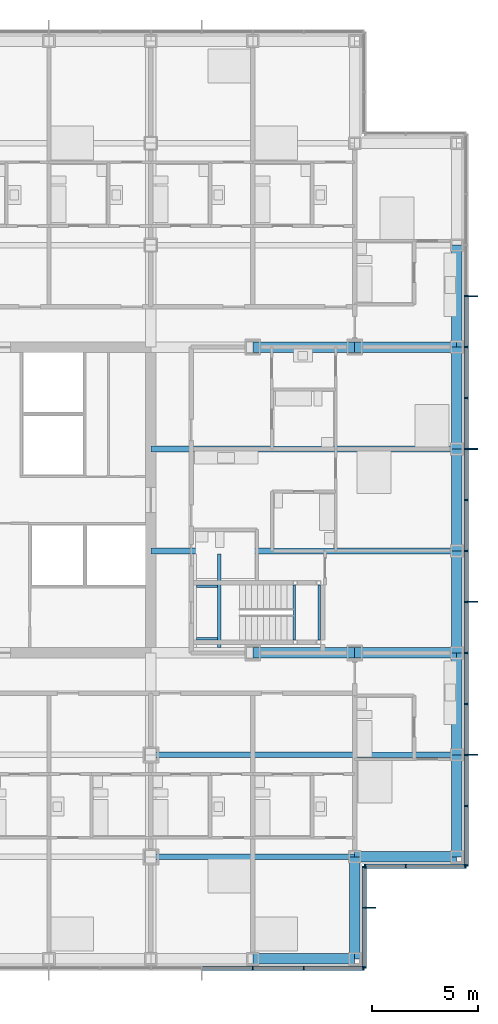
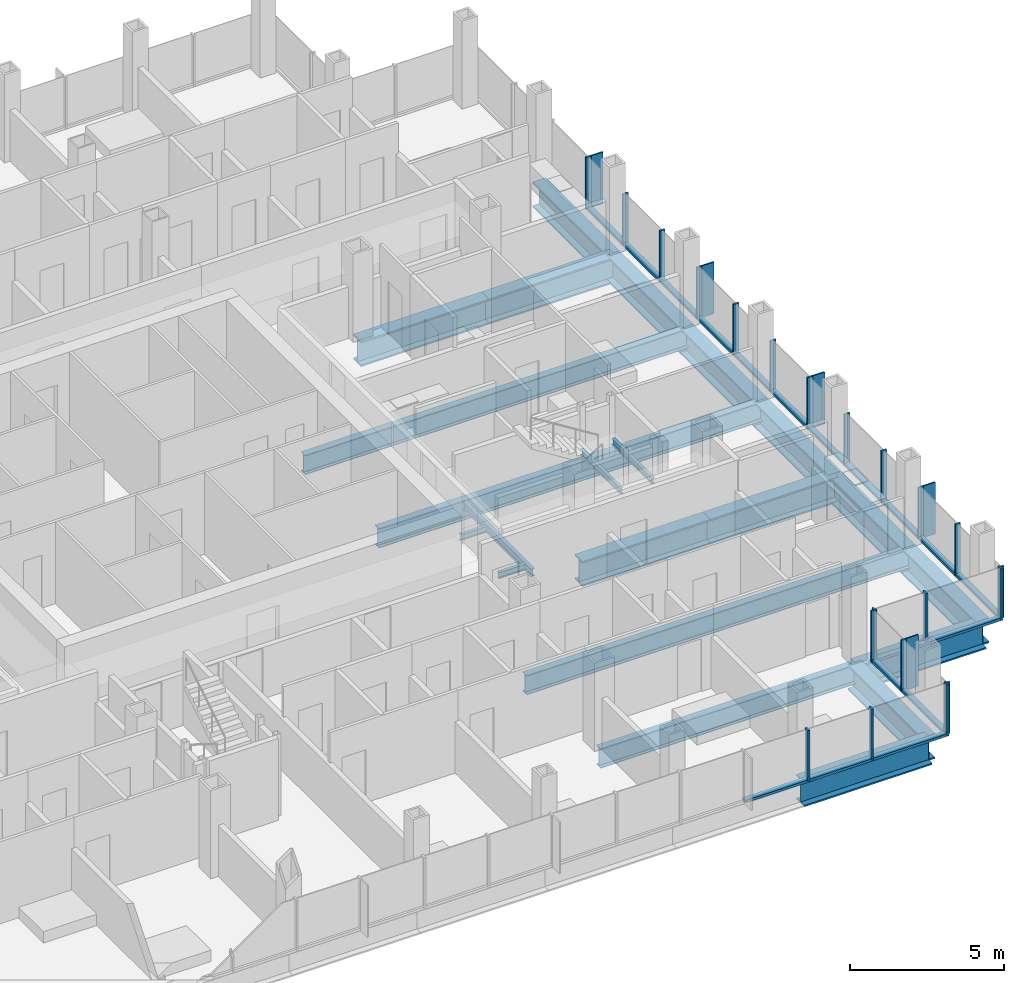
# One storey, part 9 of 22: 44 members, 22 beams, 4 elements without a shape of their own.
"""IFC4 building model written with IfcOpenShell, lengths in metres."""

from ifc_helpers import new_model, si_unit, direction, frame, origin, origin_2d, place, context, subcontext, project, spatial, rectangle, i_section, extrude, material, material_profile, profile_set, type_object, element, aggregate, save


model = new_model("IFC4")

# Units and contexts
model_context = context("Model", 3, precision=1e-05, world=origin(), true_north=direction((0.0, 1.0)))
body_context = subcontext(model_context, "Body", "Model", "MODEL_VIEW")
ifc_project = project(units=[si_unit("LENGTHUNIT", "METRE"), si_unit("AREAUNIT", "SQUARE_METRE"), si_unit("VOLUMEUNIT", "CUBIC_METRE"), si_unit("PLANEANGLEUNIT", "RADIAN"), si_unit("MASSUNIT", "GRAM", prefix="KILO")], contexts=[model_context])

# Site, building, storey
site_placement = place(None, origin())
site = spatial("IfcSite", under=ifc_project, at=site_placement, CompositionType="ELEMENT")
building_placement = place(site_placement, origin())
building = spatial("IfcBuilding", under=site, at=building_placement, Name="Kvirike Care Tower", CompositionType="ELEMENT")
storey_placement = place(building_placement, frame((0.0, 0.0, 76.0)))
storey = spatial("IfcBuildingStorey", under=building, at=storey_placement, Name="L20", CompositionType="ELEMENT", Elevation=76.0)

# Curtain wall, member
ifc_material_1 = material(Name="Anodised aluminium stick system", Category="aluminium")
curtain_wall_type = type_object("IfcCurtainWallType", Name="CW-A STICK CURTAIN WALL", PredefinedType="NOTDEFINED", material=ifc_material_1)
curtain_wall_1_placement = place(storey_placement, origin())
curtain_wall_1 = element("IfcCurtainWall", 1, at=curtain_wall_1_placement, inside=storey, type_object=curtain_wall_type, Name="Curtain wall L20 face 5", PredefinedType="NOTDEFINED")
ifc_material_2 = material(Name="Bronze anodised aluminium fin", Category="aluminium")
ifc_material_profile_1 = material_profile(ifc_material_2, rectangle(XDim=0.050048828125, YDim=0.449951171875, at=origin_2d()), Name="BRONZE FIN 450")
ifc_profile_set_1 = profile_set([ifc_material_profile_1], Name="Bronze anodised aluminium fin")
member_type_1 = type_object("IfcMemberType", Name="BRONZE FIN 450", PredefinedType="USERDEFINED", material=ifc_profile_set_1)
member_1_placement = place(storey_placement, frame((39.175048828125, 16.800048828125, 0.0), z_axis=(0.0, 0.0, 1.0), x_axis=(0.0, 1.0, 0.0)))
member_1 = element("IfcMember", 2, at=member_1_placement, type_object=member_type_1, Name="Bronze fin L20 face 5.2", ObjectType="FIN", PredefinedType="USERDEFINED", context=body_context, shape_type="SweptSolid", body=[
    extrude(rectangle(XDim=0.050048828125, YDim=0.449951171875, at=origin_2d()), origin(), (0.0, 0.0, 1.0), 2.050048828125),
])

# Curtain wall, members
curtain_wall_2_placement = place(storey_placement, origin())
curtain_wall_2 = element("IfcCurtainWall", 3, at=curtain_wall_2_placement, inside=storey, type_object=curtain_wall_type, Name="Curtain wall L20 face 7", PredefinedType="NOTDEFINED")
member_2_placement = place(storey_placement, frame((43.97509765625, 24.0, 0.0), z_axis=(0.0, 0.0, 1.0), x_axis=(0.0, 1.0, 0.0)))
member_2 = element("IfcMember", 4, at=member_2_placement, type_object=member_type_1, Name="Bronze fin L20 face 7.3", ObjectType="FIN", PredefinedType="USERDEFINED", context=body_context, shape_type="SweptSolid", body=[
    extrude(rectangle(XDim=0.050048828125, YDim=0.449951171875, at=origin_2d()), origin(), (0.0, 0.0, 1.0), 2.050048828125),
])
member_3_placement = place(storey_placement, frame((43.97509765625, 31.199951171875, 0.0), z_axis=(0.0, 0.0, 1.0), x_axis=(0.0, 1.0, 0.0)))
member_3 = element("IfcMember", 5, at=member_3_placement, type_object=member_type_1, Name="Bronze fin L20 face 7.6", ObjectType="FIN", PredefinedType="USERDEFINED", context=body_context, shape_type="SweptSolid", body=[
    extrude(rectangle(XDim=0.050048828125, YDim=0.449951171875, at=origin_2d()), origin(), (0.0, 0.0, 1.0), 2.050048828125),
])
member_4_placement = place(storey_placement, frame((43.97509765625, 38.39990234375, 0.0), z_axis=(0.0, 0.0, 1.0), x_axis=(0.0, 1.0, 0.0)))
member_4 = element("IfcMember", 6, at=member_4_placement, type_object=member_type_1, Name="Bronze fin L20 face 7.9", ObjectType="FIN", PredefinedType="USERDEFINED", context=body_context, shape_type="SweptSolid", body=[
    extrude(rectangle(XDim=0.050048828125, YDim=0.449951171875, at=origin_2d()), origin(), (0.0, 0.0, 1.0), 2.050048828125),
])
member_5_placement = place(storey_placement, frame((43.97509765625, 45.60009765625, 0.0), z_axis=(0.0, 0.0, 1.0), x_axis=(0.0, 1.0, 0.0)))
member_5 = element("IfcMember", 7, at=member_5_placement, type_object=member_type_1, Name="Bronze fin L20 face 7.12", ObjectType="FIN", PredefinedType="USERDEFINED", context=body_context, shape_type="SweptSolid", body=[
    extrude(rectangle(XDim=0.050048828125, YDim=0.449951171875, at=origin_2d()), origin(), (0.0, 0.0, 1.0), 2.050048828125),
])

curtain_wall_3_placement = place(storey_placement, origin())
curtain_wall_3 = element("IfcCurtainWall", 8, at=curtain_wall_3_placement, inside=storey, type_object=curtain_wall_type, Name="Curtain wall L20 face 4", PredefinedType="NOTDEFINED")
ifc_material_3 = material(Name="Bronze anodised aluminium mullion", Category="aluminium")
ifc_material_profile_2 = material_profile(ifc_material_3, rectangle(XDim=0.06494140625, YDim=0.199951171875, at=origin_2d()), Name="CW-A MULLION 65x200")
ifc_profile_set_2 = profile_set([ifc_material_profile_2], Name="Bronze anodised aluminium mullion")
member_type_2 = type_object("IfcMemberType", Name="CW-A MULLION 65x200", PredefinedType="MULLION", material=ifc_profile_set_2)
member_6_placement = place(storey_placement, frame((33.60009765625, 13.949951171875, 0.0), z_axis=(0.0, 0.0, 1.0), x_axis=(1.0, 0.0, 0.0)))
member_6 = element("IfcMember", 9, at=member_6_placement, type_object=member_type_2, Name="CW-A mullion L20 face 4.13", PredefinedType="MULLION", context=body_context, shape_type="SweptSolid", body=[
    extrude(rectangle(XDim=0.06494140625, YDim=0.199951171875, at=origin_2d()), origin(), (0.0, 0.0, 1.0), 2.050048828125),
])
member_7_placement = place(storey_placement, frame((36.0, 13.949951171875, 0.0), z_axis=(0.0, 0.0, 1.0), x_axis=(1.0, 0.0, 0.0)))
member_7 = element("IfcMember", 10, at=member_7_placement, type_object=member_type_2, Name="CW-A mullion L20 face 4.14", PredefinedType="MULLION", context=body_context, shape_type="SweptSolid", body=[
    extrude(rectangle(XDim=0.06494140625, YDim=0.199951171875, at=origin_2d()), origin(), (0.0, 0.0, 1.0), 2.050048828125),
])
member_8_placement = place(storey_placement, frame((38.8173828125, 13.949951171875, 0.0), z_axis=(0.0, 0.0, 1.0), x_axis=(1.0, 0.0, 0.0)))
member_8 = element("IfcMember", 11, at=member_8_placement, type_object=member_type_2, Name="CW-A mullion L20 face 4.15", PredefinedType="MULLION", context=body_context, shape_type="SweptSolid", body=[
    extrude(rectangle(XDim=0.06494140625, YDim=0.199951171875, at=origin_2d()), origin(), (0.0, 0.0, 1.0), 2.050048828125),
])

# Member
member_9_placement = place(storey_placement, frame((38.85009765625, 13.982421875, 0.0), z_axis=(0.0, 0.0, 1.0), x_axis=(0.0, 1.0, 0.0)))
member_9 = element("IfcMember", 12, at=member_9_placement, type_object=member_type_2, Name="CW-A mullion L20 face 5.1", PredefinedType="MULLION", context=body_context, shape_type="SweptSolid", body=[
    extrude(rectangle(XDim=0.06494140625, YDim=0.199951171875, at=origin_2d()), origin(), (0.0, 0.0, 1.0), 2.050048828125),
])

member_10_placement = place(storey_placement, frame((38.85009765625, 16.800048828125, 0.0), z_axis=(0.0, 0.0, 1.0), x_axis=(0.0, 1.0, 0.0)))
member_10 = element("IfcMember", 13, at=member_10_placement, type_object=member_type_2, Name="CW-A mullion L20 face 5.2", PredefinedType="MULLION", context=body_context, shape_type="SweptSolid", body=[
    extrude(rectangle(XDim=0.06494140625, YDim=0.199951171875, at=origin_2d()), origin(), (0.0, 0.0, 1.0), 2.050048828125),
])

member_11_placement = place(storey_placement, frame((38.85009765625, 18.717529296875, 0.0), z_axis=(0.0, 0.0, 1.0), x_axis=(0.0, 1.0, 0.0)))
member_11 = element("IfcMember", 14, at=member_11_placement, type_object=member_type_2, Name="CW-A mullion L20 face 5.3", PredefinedType="MULLION", context=body_context, shape_type="SweptSolid", body=[
    extrude(rectangle(XDim=0.06494140625, YDim=0.199951171875, at=origin_2d()), origin(), (0.0, 0.0, 1.0), 2.050048828125),
])

# Curtain wall, members
curtain_wall_4_placement = place(storey_placement, origin())
curtain_wall_4 = element("IfcCurtainWall", 15, at=curtain_wall_4_placement, inside=storey, type_object=curtain_wall_type, Name="Curtain wall L20 face 6", PredefinedType="NOTDEFINED")
member_12_placement = place(storey_placement, frame((38.882568359375, 18.75, 0.0), z_axis=(0.0, 0.0, 1.0), x_axis=(1.0, 0.0, 0.0)))
member_12 = element("IfcMember", 16, at=member_12_placement, type_object=member_type_2, Name="CW-A mullion L20 face 6.1", PredefinedType="MULLION", context=body_context, shape_type="SweptSolid", body=[
    extrude(rectangle(XDim=0.06494140625, YDim=0.199951171875, at=origin_2d()), origin(), (0.0, 0.0, 1.0), 2.050048828125),
])
member_13_placement = place(storey_placement, frame((40.800048828125, 18.75, 0.0), z_axis=(0.0, 0.0, 1.0), x_axis=(1.0, 0.0, 0.0)))
member_13 = element("IfcMember", 17, at=member_13_placement, type_object=member_type_2, Name="CW-A mullion L20 face 6.2", PredefinedType="MULLION", context=body_context, shape_type="SweptSolid", body=[
    extrude(rectangle(XDim=0.06494140625, YDim=0.199951171875, at=origin_2d()), origin(), (0.0, 0.0, 1.0), 2.050048828125),
])
member_14_placement = place(storey_placement, frame((43.617431640625, 18.75, 0.0), z_axis=(0.0, 0.0, 1.0), x_axis=(1.0, 0.0, 0.0)))
member_14 = element("IfcMember", 18, at=member_14_placement, type_object=member_type_2, Name="CW-A mullion L20 face 6.3", PredefinedType="MULLION", context=body_context, shape_type="SweptSolid", body=[
    extrude(rectangle(XDim=0.06494140625, YDim=0.199951171875, at=origin_2d()), origin(), (0.0, 0.0, 1.0), 2.050048828125),
])

# Member
member_15_placement = place(storey_placement, frame((43.64990234375, 18.782470703125, 0.0), z_axis=(0.0, 0.0, 1.0), x_axis=(0.0, 1.0, 0.0)))
member_15 = element("IfcMember", 19, at=member_15_placement, type_object=member_type_2, Name="CW-A mullion L20 face 7.1", PredefinedType="MULLION", context=body_context, shape_type="SweptSolid", body=[
    extrude(rectangle(XDim=0.06494140625, YDim=0.199951171875, at=origin_2d()), origin(), (0.0, 0.0, 1.0), 2.050048828125),
])

member_16_placement = place(storey_placement, frame((43.64990234375, 21.60009765625, 0.0), z_axis=(0.0, 0.0, 1.0), x_axis=(0.0, 1.0, 0.0)))
member_16 = element("IfcMember", 20, at=member_16_placement, type_object=member_type_2, Name="CW-A mullion L20 face 7.2", PredefinedType="MULLION", context=body_context, shape_type="SweptSolid", body=[
    extrude(rectangle(XDim=0.06494140625, YDim=0.199951171875, at=origin_2d()), origin(), (0.0, 0.0, 1.0), 2.050048828125),
])

member_17_placement = place(storey_placement, frame((43.64990234375, 24.0, 0.0), z_axis=(0.0, 0.0, 1.0), x_axis=(0.0, 1.0, 0.0)))
member_17 = element("IfcMember", 21, at=member_17_placement, type_object=member_type_2, Name="CW-A mullion L20 face 7.3", PredefinedType="MULLION", context=body_context, shape_type="SweptSolid", body=[
    extrude(rectangle(XDim=0.06494140625, YDim=0.199951171875, at=origin_2d()), origin(), (0.0, 0.0, 1.0), 2.050048828125),
])

member_18_placement = place(storey_placement, frame((43.64990234375, 26.39990234375, 0.0), z_axis=(0.0, 0.0, 1.0), x_axis=(0.0, 1.0, 0.0)))
member_18 = element("IfcMember", 22, at=member_18_placement, type_object=member_type_2, Name="CW-A mullion L20 face 7.4", PredefinedType="MULLION", context=body_context, shape_type="SweptSolid", body=[
    extrude(rectangle(XDim=0.06494140625, YDim=0.199951171875, at=origin_2d()), origin(), (0.0, 0.0, 1.0), 2.050048828125),
])

member_19_placement = place(storey_placement, frame((43.64990234375, 28.800048828125, 0.0), z_axis=(0.0, 0.0, 1.0), x_axis=(0.0, 1.0, 0.0)))
member_19 = element("IfcMember", 23, at=member_19_placement, type_object=member_type_2, Name="CW-A mullion L20 face 7.5", PredefinedType="MULLION", context=body_context, shape_type="SweptSolid", body=[
    extrude(rectangle(XDim=0.06494140625, YDim=0.199951171875, at=origin_2d()), origin(), (0.0, 0.0, 1.0), 2.050048828125),
])

member_20_placement = place(storey_placement, frame((43.64990234375, 31.199951171875, 0.0), z_axis=(0.0, 0.0, 1.0), x_axis=(0.0, 1.0, 0.0)))
member_20 = element("IfcMember", 24, at=member_20_placement, type_object=member_type_2, Name="CW-A mullion L20 face 7.6", PredefinedType="MULLION", context=body_context, shape_type="SweptSolid", body=[
    extrude(rectangle(XDim=0.06494140625, YDim=0.199951171875, at=origin_2d()), origin(), (0.0, 0.0, 1.0), 2.050048828125),
])

member_21_placement = place(storey_placement, frame((43.64990234375, 33.60009765625, 0.0), z_axis=(0.0, 0.0, 1.0), x_axis=(0.0, 1.0, 0.0)))
member_21 = element("IfcMember", 25, at=member_21_placement, type_object=member_type_2, Name="CW-A mullion L20 face 7.7", PredefinedType="MULLION", context=body_context, shape_type="SweptSolid", body=[
    extrude(rectangle(XDim=0.06494140625, YDim=0.199951171875, at=origin_2d()), origin(), (0.0, 0.0, 1.0), 2.050048828125),
])

member_22_placement = place(storey_placement, frame((43.64990234375, 36.0, 0.0), z_axis=(0.0, 0.0, 1.0), x_axis=(0.0, 1.0, 0.0)))
member_22 = element("IfcMember", 26, at=member_22_placement, type_object=member_type_2, Name="CW-A mullion L20 face 7.8", PredefinedType="MULLION", context=body_context, shape_type="SweptSolid", body=[
    extrude(rectangle(XDim=0.06494140625, YDim=0.199951171875, at=origin_2d()), origin(), (0.0, 0.0, 1.0), 2.050048828125),
])

member_23_placement = place(storey_placement, frame((43.64990234375, 38.39990234375, 0.0), z_axis=(0.0, 0.0, 1.0), x_axis=(0.0, 1.0, 0.0)))
member_23 = element("IfcMember", 27, at=member_23_placement, type_object=member_type_2, Name="CW-A mullion L20 face 7.9", PredefinedType="MULLION", context=body_context, shape_type="SweptSolid", body=[
    extrude(rectangle(XDim=0.06494140625, YDim=0.199951171875, at=origin_2d()), origin(), (0.0, 0.0, 1.0), 2.050048828125),
])

member_24_placement = place(storey_placement, frame((43.64990234375, 40.800048828125, 0.0), z_axis=(0.0, 0.0, 1.0), x_axis=(0.0, 1.0, 0.0)))
member_24 = element("IfcMember", 28, at=member_24_placement, type_object=member_type_2, Name="CW-A mullion L20 face 7.10", PredefinedType="MULLION", context=body_context, shape_type="SweptSolid", body=[
    extrude(rectangle(XDim=0.06494140625, YDim=0.199951171875, at=origin_2d()), origin(), (0.0, 0.0, 1.0), 2.050048828125),
])

member_25_placement = place(storey_placement, frame((43.64990234375, 43.199951171875, 0.0), z_axis=(0.0, 0.0, 1.0), x_axis=(0.0, 1.0, 0.0)))
member_25 = element("IfcMember", 29, at=member_25_placement, type_object=member_type_2, Name="CW-A mullion L20 face 7.11", PredefinedType="MULLION", context=body_context, shape_type="SweptSolid", body=[
    extrude(rectangle(XDim=0.06494140625, YDim=0.199951171875, at=origin_2d()), origin(), (0.0, 0.0, 1.0), 2.050048828125),
])

member_26_placement = place(storey_placement, frame((43.64990234375, 45.60009765625, 0.0), z_axis=(0.0, 0.0, 1.0), x_axis=(0.0, 1.0, 0.0)))
member_26 = element("IfcMember", 30, at=member_26_placement, type_object=member_type_2, Name="CW-A mullion L20 face 7.12", PredefinedType="MULLION", context=body_context, shape_type="SweptSolid", body=[
    extrude(rectangle(XDim=0.06494140625, YDim=0.199951171875, at=origin_2d()), origin(), (0.0, 0.0, 1.0), 2.050048828125),
])

ifc_material_4 = material(Name="Bronze anodised aluminium transom", Category="aluminium")
ifc_material_profile_3 = material_profile(ifc_material_4, rectangle(XDim=0.199951171875, YDim=0.10009765625, at=origin_2d()), Name="CW-A TRANSOM 200x100")
ifc_profile_set_3 = profile_set([ifc_material_profile_3], Name="Bronze anodised aluminium transom")
member_type_3 = type_object("IfcMemberType", Name="CW-A TRANSOM 200x100", PredefinedType="USERDEFINED", material=ifc_profile_set_3)
member_27_placement = place(storey_placement, frame((31.232421875, 13.949951171875, 0.050048828125), z_axis=(1.0, 0.0, 0.0), x_axis=(0.0, 1.0, 0.0)))
member_27 = element("IfcMember", 31, at=member_27_placement, type_object=member_type_3, Name="CW-A sill transom L20 face 4.12", ObjectType="TRANSOM", PredefinedType="USERDEFINED", context=body_context, shape_type="SweptSolid", body=[
    extrude(rectangle(XDim=0.199951171875, YDim=0.10009765625, at=origin_2d()), origin(), (0.0, 0.0, 1.0), 2.3349609375),
])

member_28_placement = place(storey_placement, frame((33.632568359375, 13.949951171875, 0.050048828125), z_axis=(1.0, 0.0, 0.0), x_axis=(0.0, 1.0, 0.0)))
member_28 = element("IfcMember", 32, at=member_28_placement, type_object=member_type_3, Name="CW-A sill transom L20 face 4.13", ObjectType="TRANSOM", PredefinedType="USERDEFINED", context=body_context, shape_type="SweptSolid", body=[
    extrude(rectangle(XDim=0.199951171875, YDim=0.10009765625, at=origin_2d()), origin(), (0.0, 0.0, 1.0), 2.3349609375),
])

member_29_placement = place(storey_placement, frame((36.032470703125, 13.949951171875, 0.050048828125), z_axis=(1.0, 0.0, 0.0), x_axis=(0.0, 1.0, 0.0)))
member_29 = element("IfcMember", 33, at=member_29_placement, type_object=member_type_3, Name="CW-A sill transom L20 face 4.14", ObjectType="TRANSOM", PredefinedType="USERDEFINED", context=body_context, shape_type="SweptSolid", body=[
    extrude(rectangle(XDim=0.199951171875, YDim=0.10009765625, at=origin_2d()), origin(), (0.0, 0.0, 1.0), 2.75244140625),
])

aggregate(curtain_wall_3, [member_6, member_7, member_8, member_27, member_28, member_29])

member_30_placement = place(storey_placement, frame((38.85009765625, 14.014892578125, 0.050048828125), z_axis=(0.0, 1.0, 0.0), x_axis=(-1.0, 0.0, 0.0)))
member_30 = element("IfcMember", 34, at=member_30_placement, type_object=member_type_3, Name="CW-A sill transom L20 face 5.1", ObjectType="TRANSOM", PredefinedType="USERDEFINED", context=body_context, shape_type="SweptSolid", body=[
    extrude(rectangle(XDim=0.199951171875, YDim=0.10009765625, at=origin_2d()), origin(), (0.0, 0.0, 1.0), 2.752685546875),
])

member_31_placement = place(storey_placement, frame((38.85009765625, 16.83251953125, 0.050048828125), z_axis=(0.0, 1.0, 0.0), x_axis=(-1.0, 0.0, 0.0)))
member_31 = element("IfcMember", 35, at=member_31_placement, type_object=member_type_3, Name="CW-A sill transom L20 face 5.2", ObjectType="TRANSOM", PredefinedType="USERDEFINED", context=body_context, shape_type="SweptSolid", body=[
    extrude(rectangle(XDim=0.199951171875, YDim=0.10009765625, at=origin_2d()), origin(), (0.0, 0.0, 1.0), 1.8525390625),
])

aggregate(curtain_wall_1, [member_9, member_10, member_1, member_11, member_30, member_31])

member_32_placement = place(storey_placement, frame((38.9150390625, 18.75, 0.050048828125), z_axis=(1.0, 0.0, 0.0), x_axis=(0.0, 1.0, 0.0)))
member_32 = element("IfcMember", 36, at=member_32_placement, type_object=member_type_3, Name="CW-A sill transom L20 face 6.1", ObjectType="TRANSOM", PredefinedType="USERDEFINED", context=body_context, shape_type="SweptSolid", body=[
    extrude(rectangle(XDim=0.199951171875, YDim=0.10009765625, at=origin_2d()), origin(), (0.0, 0.0, 1.0), 1.8525390625),
])

member_33_placement = place(storey_placement, frame((40.83251953125, 18.75, 0.050048828125), z_axis=(1.0, 0.0, 0.0), x_axis=(0.0, 1.0, 0.0)))
member_33 = element("IfcMember", 37, at=member_33_placement, type_object=member_type_3, Name="CW-A sill transom L20 face 6.2", ObjectType="TRANSOM", PredefinedType="USERDEFINED", context=body_context, shape_type="SweptSolid", body=[
    extrude(rectangle(XDim=0.199951171875, YDim=0.10009765625, at=origin_2d()), origin(), (0.0, 0.0, 1.0), 2.75244140625),
])

aggregate(curtain_wall_4, [member_12, member_13, member_14, member_32, member_33])

member_34_placement = place(storey_placement, frame((43.64990234375, 18.81494140625, 0.050048828125), z_axis=(0.0, 1.0, 0.0), x_axis=(-1.0, 0.0, 0.0)))
member_34 = element("IfcMember", 38, at=member_34_placement, type_object=member_type_3, Name="CW-A sill transom L20 face 7.1", ObjectType="TRANSOM", PredefinedType="USERDEFINED", context=body_context, shape_type="SweptSolid", body=[
    extrude(rectangle(XDim=0.199951171875, YDim=0.10009765625, at=origin_2d()), origin(), (0.0, 0.0, 1.0), 2.75244140625),
])

member_35_placement = place(storey_placement, frame((43.64990234375, 21.632568359375, 0.050048828125), z_axis=(0.0, 1.0, 0.0), x_axis=(-1.0, 0.0, 0.0)))
member_35 = element("IfcMember", 39, at=member_35_placement, type_object=member_type_3, Name="CW-A sill transom L20 face 7.2", ObjectType="TRANSOM", PredefinedType="USERDEFINED", context=body_context, shape_type="SweptSolid", body=[
    extrude(rectangle(XDim=0.199951171875, YDim=0.10009765625, at=origin_2d()), origin(), (0.0, 0.0, 1.0), 2.3349609375),
])

member_36_placement = place(storey_placement, frame((43.64990234375, 24.032470703125, 0.050048828125), z_axis=(0.0, 1.0, 0.0), x_axis=(-1.0, 0.0, 0.0)))
member_36 = element("IfcMember", 40, at=member_36_placement, type_object=member_type_3, Name="CW-A sill transom L20 face 7.3", ObjectType="TRANSOM", PredefinedType="USERDEFINED", context=body_context, shape_type="SweptSolid", body=[
    extrude(rectangle(XDim=0.199951171875, YDim=0.10009765625, at=origin_2d()), origin(), (0.0, 0.0, 1.0), 2.3349609375),
])

member_37_placement = place(storey_placement, frame((43.64990234375, 26.4326171875, 0.050048828125), z_axis=(0.0, 1.0, 0.0), x_axis=(-1.0, 0.0, 0.0)))
member_37 = element("IfcMember", 41, at=member_37_placement, type_object=member_type_3, Name="CW-A sill transom L20 face 7.4", ObjectType="TRANSOM", PredefinedType="USERDEFINED", context=body_context, shape_type="SweptSolid", body=[
    extrude(rectangle(XDim=0.199951171875, YDim=0.10009765625, at=origin_2d()), origin(), (0.0, 0.0, 1.0), 2.3349609375),
])

member_38_placement = place(storey_placement, frame((43.64990234375, 28.83251953125, 0.050048828125), z_axis=(0.0, 1.0, 0.0), x_axis=(-1.0, 0.0, 0.0)))
member_38 = element("IfcMember", 42, at=member_38_placement, type_object=member_type_3, Name="CW-A sill transom L20 face 7.5", ObjectType="TRANSOM", PredefinedType="USERDEFINED", context=body_context, shape_type="SweptSolid", body=[
    extrude(rectangle(XDim=0.199951171875, YDim=0.10009765625, at=origin_2d()), origin(), (0.0, 0.0, 1.0), 2.3349609375),
])

member_39_placement = place(storey_placement, frame((43.64990234375, 31.232421875, 0.050048828125), z_axis=(0.0, 1.0, 0.0), x_axis=(-1.0, 0.0, 0.0)))
member_39 = element("IfcMember", 43, at=member_39_placement, type_object=member_type_3, Name="CW-A sill transom L20 face 7.6", ObjectType="TRANSOM", PredefinedType="USERDEFINED", context=body_context, shape_type="SweptSolid", body=[
    extrude(rectangle(XDim=0.199951171875, YDim=0.10009765625, at=origin_2d()), origin(), (0.0, 0.0, 1.0), 2.3349609375),
])

member_40_placement = place(storey_placement, frame((43.64990234375, 33.632568359375, 0.050048828125), z_axis=(0.0, 1.0, 0.0), x_axis=(-1.0, 0.0, 0.0)))
member_40 = element("IfcMember", 44, at=member_40_placement, type_object=member_type_3, Name="CW-A sill transom L20 face 7.7", ObjectType="TRANSOM", PredefinedType="USERDEFINED", context=body_context, shape_type="SweptSolid", body=[
    extrude(rectangle(XDim=0.199951171875, YDim=0.10009765625, at=origin_2d()), origin(), (0.0, 0.0, 1.0), 2.3349609375),
])

member_41_placement = place(storey_placement, frame((43.64990234375, 36.032470703125, 0.050048828125), z_axis=(0.0, 1.0, 0.0), x_axis=(-1.0, 0.0, 0.0)))
member_41 = element("IfcMember", 45, at=member_41_placement, type_object=member_type_3, Name="CW-A sill transom L20 face 7.8", ObjectType="TRANSOM", PredefinedType="USERDEFINED", context=body_context, shape_type="SweptSolid", body=[
    extrude(rectangle(XDim=0.199951171875, YDim=0.10009765625, at=origin_2d()), origin(), (0.0, 0.0, 1.0), 2.3349609375),
])

member_42_placement = place(storey_placement, frame((43.64990234375, 38.4326171875, 0.050048828125), z_axis=(0.0, 1.0, 0.0), x_axis=(-1.0, 0.0, 0.0)))
member_42 = element("IfcMember", 46, at=member_42_placement, type_object=member_type_3, Name="CW-A sill transom L20 face 7.9", ObjectType="TRANSOM", PredefinedType="USERDEFINED", context=body_context, shape_type="SweptSolid", body=[
    extrude(rectangle(XDim=0.199951171875, YDim=0.10009765625, at=origin_2d()), origin(), (0.0, 0.0, 1.0), 2.3349609375),
])

member_43_placement = place(storey_placement, frame((43.64990234375, 40.83251953125, 0.050048828125), z_axis=(0.0, 1.0, 0.0), x_axis=(-1.0, 0.0, 0.0)))
member_43 = element("IfcMember", 47, at=member_43_placement, type_object=member_type_3, Name="CW-A sill transom L20 face 7.10", ObjectType="TRANSOM", PredefinedType="USERDEFINED", context=body_context, shape_type="SweptSolid", body=[
    extrude(rectangle(XDim=0.199951171875, YDim=0.10009765625, at=origin_2d()), origin(), (0.0, 0.0, 1.0), 2.3349609375),
])

member_44_placement = place(storey_placement, frame((43.64990234375, 43.232421875, 0.050048828125), z_axis=(0.0, 1.0, 0.0), x_axis=(-1.0, 0.0, 0.0)))
member_44 = element("IfcMember", 48, at=member_44_placement, type_object=member_type_3, Name="CW-A sill transom L20 face 7.11", ObjectType="TRANSOM", PredefinedType="USERDEFINED", context=body_context, shape_type="SweptSolid", body=[
    extrude(rectangle(XDim=0.199951171875, YDim=0.10009765625, at=origin_2d()), origin(), (0.0, 0.0, 1.0), 2.3349609375),
])

aggregate(curtain_wall_2, [member_15, member_16, member_17, member_2, member_18, member_19, member_20, member_3, member_21, member_22, member_23, member_4, member_24, member_25, member_26, member_5, member_34, member_35, member_36, member_37, member_38, member_39, member_40, member_41, member_42, member_43, member_44])

# Beams
ifc_material_5 = material(Name="Steel S355", Category="steel")
ifc_material_profile_4 = material_profile(ifc_material_5, i_section(OverallWidth=0.26806640625, OverallDepth=0.77001953125, WebThickness=0.015625, FlangeThickness=0.025390625, FilletRadius=0.01708984375, at=origin_2d()), Name="IPE 750x196")
ifc_profile_set_4 = profile_set([ifc_material_profile_4], Name="Steel S355")
beam_type_1 = type_object("IfcBeamType", Name="FLOOR BEAM IPE 750x196", PredefinedType="BEAM", material=ifc_profile_set_4)
beam_1_placement = place(storey_placement, frame((28.800048828125, 19.199951171875, -0.554931640625), z_axis=(1.0, 0.0, 0.0), x_axis=(0.0, 1.0, 0.0)))
element("IfcBeam", 49, at=beam_1_placement, inside=storey, type_object=beam_type_1, Name="Floor Beam E9-E11 L20", PredefinedType="BEAM", context=body_context, shape_type="SweptSolid", body=[
    extrude(i_section(OverallWidth=0.26806640625, OverallDepth=0.77001953125, WebThickness=0.015625, FlangeThickness=0.025390625, FilletRadius=0.01708984375, at=origin_2d()), origin(), (0.0, 0.0, 1.0), 9.599853515625),
])
for number, where, z_axis, x_axis, name in (
    (50, (28.800048828125, 24.0, -0.554931640625), (1.0, 0.0, 0.0), (0.0, 1.0, 0.0), "Floor Beam F9-F12 L20"),
    (51, (28.800048828125, 33.60009765625, -0.554931640625), (1.0, 0.0, 0.0), (0.0, 1.0, 0.0), "Floor Beam H9-H12 L20"),
    (52, (28.800048828125, 38.39990234375, -0.554931640625), (1.0, 0.0, 0.0), (0.0, 1.0, 0.0), "Floor Beam J9-J12 L20"),
):
    element("IfcBeam", number, at=place(storey_placement, frame(where, z_axis=z_axis, x_axis=x_axis)), inside=storey, type_object=beam_type_1, Name=name, PredefinedType="BEAM", context=body_context, shape_type="SweptSolid", body=[
        extrude(i_section(OverallWidth=0.26806640625, OverallDepth=0.77001953125, WebThickness=0.015625, FlangeThickness=0.025390625, FilletRadius=0.01708984375, at=origin_2d()), origin(), (0.0, 0.0, 1.0), 14.39990234375),
    ])
ifc_material_6 = material(Name="Steel S355", Category="steel")
ifc_material_profile_5 = material_profile(ifc_material_6, i_section(OverallWidth=0.5, OverallDepth=1.0, WebThickness=0.030029296875, FlangeThickness=0.06005859375, at=origin_2d()), Name="PG 1000x500x30x60")
ifc_profile_set_5 = profile_set([ifc_material_profile_5], Name="Steel S355")
beam_type_2 = type_object("IfcBeamType", Name="FRAME BEAM PG 1000x500x30x60", PredefinedType="BEAM", material=ifc_profile_set_5)
beam_2_placement = place(storey_placement, frame((33.60009765625, 28.800048828125, -0.669921875), z_axis=(1.0, 0.0, 0.0), x_axis=(0.0, 1.0, 0.0)))
element("IfcBeam", 53, at=beam_2_placement, inside=storey, type_object=beam_type_2, Name="Frame Beam G10-G11 L20", PredefinedType="BEAM", context=body_context, shape_type="SweptSolid", body=[
    extrude(i_section(OverallWidth=0.5, OverallDepth=1.0, WebThickness=0.030029296875, FlangeThickness=0.06005859375, at=origin_2d()), origin(), (0.0, 0.0, 1.0), 4.7998046875),
])
beam_3_placement = place(storey_placement, frame((38.39990234375, 28.800048828125, -0.669921875), z_axis=(1.0, 0.0, 0.0), x_axis=(0.0, 1.0, 0.0)))
element("IfcBeam", 54, at=beam_3_placement, inside=storey, type_object=beam_type_2, Name="Frame Beam G11-G12 L20", PredefinedType="BEAM", context=body_context, shape_type="SweptSolid", body=[
    extrude(i_section(OverallWidth=0.5, OverallDepth=1.0, WebThickness=0.030029296875, FlangeThickness=0.06005859375, at=origin_2d()), origin(), (0.0, 0.0, 1.0), 4.800048828125),
])
beam_4_placement = place(storey_placement, frame((33.60009765625, 43.199951171875, -0.669921875), z_axis=(1.0, 0.0, 0.0), x_axis=(0.0, 1.0, 0.0)))
element("IfcBeam", 55, at=beam_4_placement, inside=storey, type_object=beam_type_2, Name="Frame Beam K10-K11 L20", PredefinedType="BEAM", context=body_context, shape_type="SweptSolid", body=[
    extrude(i_section(OverallWidth=0.5, OverallDepth=1.0, WebThickness=0.030029296875, FlangeThickness=0.06005859375, at=origin_2d()), origin(), (0.0, 0.0, 1.0), 4.7998046875),
])
beam_5_placement = place(storey_placement, frame((38.39990234375, 43.199951171875, -0.669921875), z_axis=(1.0, 0.0, 0.0), x_axis=(0.0, 1.0, 0.0)))
element("IfcBeam", 56, at=beam_5_placement, inside=storey, type_object=beam_type_2, Name="Frame Beam K11-K12 L20", PredefinedType="BEAM", context=body_context, shape_type="SweptSolid", body=[
    extrude(i_section(OverallWidth=0.5, OverallDepth=1.0, WebThickness=0.030029296875, FlangeThickness=0.06005859375, at=origin_2d()), origin(), (0.0, 0.0, 1.0), 4.800048828125),
])
ifc_material_7 = material(Name="Steel S355", Category="steel")
ifc_material_profile_6 = material_profile(ifc_material_7, i_section(OverallWidth=0.5, OverallDepth=1.0, WebThickness=0.030029296875, FlangeThickness=0.06005859375, at=origin_2d()), Name="PG 1000x500x30x60")
ifc_profile_set_6 = profile_set([ifc_material_profile_6], Name="Steel S355")
beam_type_3 = type_object("IfcBeamType", Name="SPANDREL PG 1000x500x30x60", PredefinedType="SPANDREL", material=ifc_profile_set_6)
beam_6_placement = place(storey_placement, frame((33.60009765625, 14.39990234375, -0.669921875), z_axis=(1.0, 0.0, 0.0), x_axis=(0.0, 1.0, 0.0)))
element("IfcBeam", 57, at=beam_6_placement, inside=storey, type_object=beam_type_3, Name="Spandrel D10-D11 L20", PredefinedType="SPANDREL", context=body_context, shape_type="SweptSolid", body=[
    extrude(i_section(OverallWidth=0.5, OverallDepth=1.0, WebThickness=0.030029296875, FlangeThickness=0.06005859375, at=origin_2d()), origin(), (0.0, 0.0, 1.0), 4.7998046875),
])
for number, where, z_axis, x_axis, name in (
    (58, (38.39990234375, 19.199951171875, -0.669921875), (1.0, 0.0, 0.0), (0.0, 1.0, 0.0), "Spandrel E11-E12 L20"),
    (59, (38.39990234375, 14.39990234375, -0.669921875), (0.0, 1.0, 0.0), (-1.0, 0.0, 0.0), "Spandrel D11-E11 L20"),
    (60, (43.199951171875, 19.199951171875, -0.669921875), (0.0, 1.0, 0.0), (-1.0, 0.0, 0.0), "Spandrel E12-F12 L20"),
    (61, (43.199951171875, 24.0, -0.669921875), (0.0, 1.0, 0.0), (-1.0, 0.0, 0.0), "Spandrel F12-G12 L20"),
    (62, (43.199951171875, 28.800048828125, -0.669921875), (0.0, 1.0, 0.0), (-1.0, 0.0, 0.0), "Spandrel G12-H12 L20"),
):
    element("IfcBeam", number, at=place(storey_placement, frame(where, z_axis=z_axis, x_axis=x_axis)), inside=storey, type_object=beam_type_3, Name=name, PredefinedType="SPANDREL", context=body_context, shape_type="SweptSolid", body=[
        extrude(i_section(OverallWidth=0.5, OverallDepth=1.0, WebThickness=0.030029296875, FlangeThickness=0.06005859375, at=origin_2d()), origin(), (0.0, 0.0, 1.0), 4.800048828125),
    ])
beam_7_placement = place(storey_placement, frame((43.199951171875, 33.60009765625, -0.669921875), z_axis=(0.0, 1.0, 0.0), x_axis=(-1.0, 0.0, 0.0)))
element("IfcBeam", 63, at=beam_7_placement, inside=storey, type_object=beam_type_3, Name="Spandrel H12-J12 L20", PredefinedType="SPANDREL", context=body_context, shape_type="SweptSolid", body=[
    extrude(i_section(OverallWidth=0.5, OverallDepth=1.0, WebThickness=0.030029296875, FlangeThickness=0.06005859375, at=origin_2d()), origin(), (0.0, 0.0, 1.0), 4.7998046875),
])
for number, where, z_axis, x_axis, name in (
    (64, (43.199951171875, 38.39990234375, -0.669921875), (0.0, 1.0, 0.0), (-1.0, 0.0, 0.0), "Spandrel J12-K12 L20"),
    (65, (43.199951171875, 43.199951171875, -0.669921875), (0.0, 1.0, 0.0), (-1.0, 0.0, 0.0), "Spandrel K12-L12 L20"),
):
    element("IfcBeam", number, at=place(storey_placement, frame(where, z_axis=z_axis, x_axis=x_axis)), inside=storey, type_object=beam_type_3, Name=name, PredefinedType="SPANDREL", context=body_context, shape_type="SweptSolid", body=[
        extrude(i_section(OverallWidth=0.5, OverallDepth=1.0, WebThickness=0.030029296875, FlangeThickness=0.06005859375, at=origin_2d()), origin(), (0.0, 0.0, 1.0), 4.800048828125),
    ])
ifc_material_8 = material(Name="Steel S355", Category="steel")
ifc_material_profile_7 = material_profile(ifc_material_8, i_section(OverallWidth=0.1201171875, OverallDepth=0.239990234375, WebThickness=0.006103515625, FlangeThickness=0.009765625, FilletRadius=0.014892578125, at=origin_2d()), Name="IPE 240")
ifc_profile_set_7 = profile_set([ifc_material_profile_7], Name="Steel S355")
beam_type_4 = type_object("IfcBeamType", Name="STAIR LANDING BEAM IPE 240", PredefinedType="BEAM", material=ifc_profile_set_7)
for number, where, z_axis, x_axis, name in (
    (66, (36.739990234375, 29.39990234375, 1.429931640625), (0.0, 1.0, 0.0), (-1.0, 0.0, 0.0), "Stair 2 landing beam back L20"),
    (67, (35.56005859375, 29.39990234375, 1.429931640625), (0.0, 1.0, 0.0), (-1.0, 0.0, 0.0), "Stair 2 landing beam front L20"),
):
    element("IfcBeam", number, at=place(storey_placement, frame(where, z_axis=z_axis, x_axis=x_axis)), inside=storey, type_object=beam_type_4, Name=name, PredefinedType="BEAM", context=body_context, shape_type="SweptSolid", body=[
        extrude(i_section(OverallWidth=0.1201171875, OverallDepth=0.239990234375, WebThickness=0.006103515625, FlangeThickness=0.009765625, FilletRadius=0.014892578125, at=origin_2d()), origin(), (0.0, 0.0, 1.0), 2.60009765625),
    ])
for number, where, z_axis, x_axis, name in (
    (68, (31.949951171875, 29.4599609375, -0.320068359375), (-1.0, 0.0, 0.0), (0.0, -1.0, 0.0), "Stair 2 landing edge beam 1 L20"),
    (69, (31.949951171875, 31.93994140625, -0.320068359375), (-1.0, 0.0, 0.0), (0.0, -1.0, 0.0), "Stair 2 landing edge beam 2 L20"),
):
    element("IfcBeam", number, at=place(storey_placement, frame(where, z_axis=z_axis, x_axis=x_axis)), inside=storey, type_object=beam_type_4, Name=name, PredefinedType="BEAM", context=body_context, shape_type="SweptSolid", body=[
        extrude(i_section(OverallWidth=0.1201171875, OverallDepth=0.239990234375, WebThickness=0.006103515625, FlangeThickness=0.009765625, FilletRadius=0.014892578125, at=origin_2d()), origin(), (0.0, 0.0, 1.0), 1.0),
    ])
ifc_material_9 = material(Name="Steel S355", Category="steel")
ifc_material_profile_8 = material_profile(ifc_material_9, i_section(OverallWidth=0.14990234375, OverallDepth=0.300048828125, WebThickness=0.007080078125, FlangeThickness=0.0107421875, FilletRadius=0.014892578125, at=origin_2d()), Name="IPE 300")
ifc_profile_set_8 = profile_set([ifc_material_profile_8], Name="Steel S355")
beam_type_5 = type_object("IfcBeamType", Name="STAIR TRIMMER IPE 300", PredefinedType="BEAM", material=ifc_profile_set_8)
beam_8_placement = place(storey_placement, frame((32.02490234375, 29.050048828125, -0.35009765625), z_axis=(0.0, 1.0, 0.0), x_axis=(-1.0, 0.0, 0.0)))
element("IfcBeam", 70, at=beam_8_placement, inside=storey, type_object=beam_type_5, Name="Stair 2 trimmer 1 L20", PredefinedType="BEAM", context=body_context, shape_type="SweptSolid", body=[
    extrude(i_section(OverallWidth=0.14990234375, OverallDepth=0.300048828125, WebThickness=0.007080078125, FlangeThickness=0.0107421875, FilletRadius=0.014892578125, at=origin_2d()), origin(), (0.0, 0.0, 1.0), 4.416015625),
])

save(model, "model.ifc")
